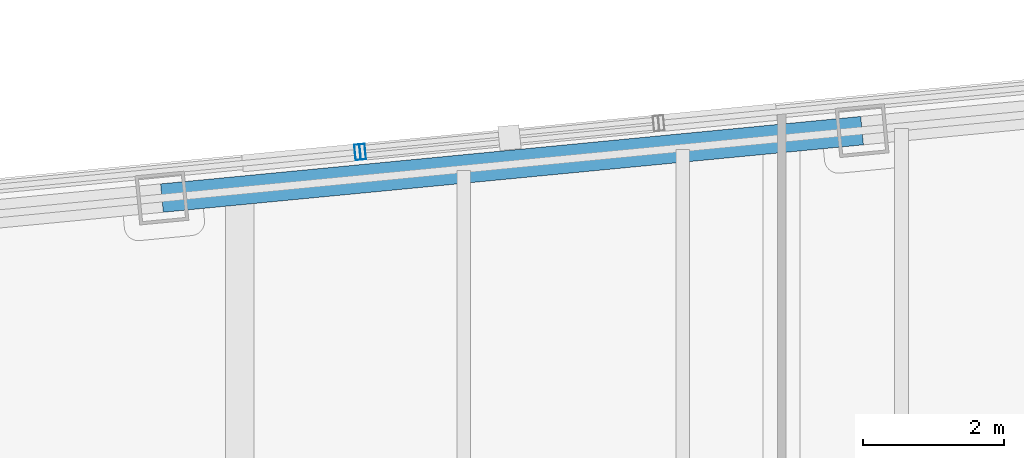
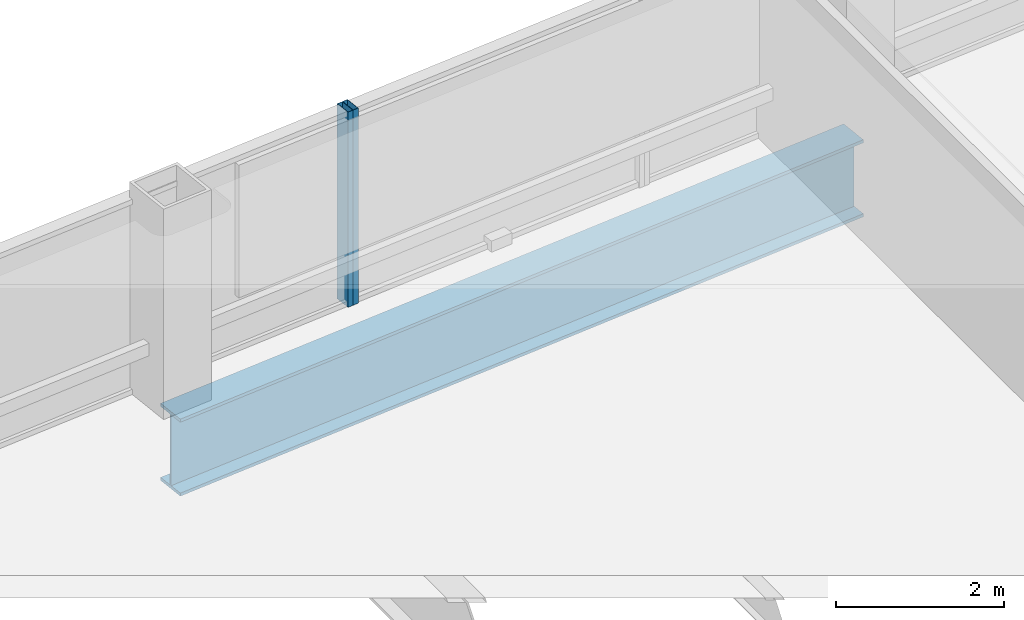
# One storey, part 19 of 28: 2 members, 1 beam, 2 elements without a shape of their own.
"""IFC4 building model written with IfcOpenShell, lengths in metres."""

from ifc_helpers import new_model, si_unit, direction, frame, origin, origin_2d, place, context, subcontext, project, spatial, hollow_rectangle, i_section, extrude, material, layer, layer_set, material_profile, profile_set, type_object, element, aggregate, save


model = new_model("IFC4")

# Units and contexts
model_context = context("Model", 3, precision=1e-05, world=origin(), true_north=direction((0.0, 1.0)))
body_context = subcontext(model_context, "Body", "Model", "MODEL_VIEW")
ifc_project = project(units=[si_unit("LENGTHUNIT", "METRE"), si_unit("AREAUNIT", "SQUARE_METRE"), si_unit("VOLUMEUNIT", "CUBIC_METRE"), si_unit("PLANEANGLEUNIT", "RADIAN"), si_unit("MASSUNIT", "GRAM", prefix="KILO")], contexts=[model_context])

# Site, building, storey
site_placement = place(None, origin())
site = spatial("IfcSite", under=ifc_project, at=site_placement, CompositionType="ELEMENT")
building_placement = place(site_placement, origin())
building = spatial("IfcBuilding", under=site, at=building_placement, Name="Qhalaya Broadcast Tower", CompositionType="ELEMENT")
storey_placement = place(building_placement, frame((0.0, 0.0, 159.199951171875)))
storey = spatial("IfcBuildingStorey", under=building, at=storey_placement, Name="L46", CompositionType="ELEMENT", Elevation=159.199951171875)

# Beam
ifc_material_1 = material(Name="Structural Steel ASTM A992 Grade 50", Category="steel")
ifc_material_profile_1 = material_profile(ifc_material_1, i_section(OverallWidth=0.404052734375, OverallDepth=1.117919921875, WebThickness=0.026123046875, FlangeThickness=0.044921875, at=origin_2d()), Name="W44X335")
ifc_profile_set_1 = profile_set([ifc_material_profile_1], Name="Structural Steel ASTM A992 Grade 50")
beam_type = type_object("IfcBeamType", Name="Podium Long-Span Primary Girder PG1", PredefinedType="USERDEFINED", material=ifc_profile_set_1)
beam_placement = place(storey_placement, frame((-0.558837890625, 24.572509765625, -0.779052734375), z_axis=(-0.995395510024, -0.095852900965, 0.0), x_axis=(0.095852900965, -0.995395510024, 0.0)))
element("IfcBeam", 1, at=beam_placement, inside=storey, type_object=beam_type, Name="L46 PG1 L46-SPR-10", ObjectType="GIRDER", PredefinedType="USERDEFINED", context=body_context, shape_type="SweptSolid", body=[
    extrude(i_section(OverallWidth=0.404052734375, OverallDepth=1.117919921875, WebThickness=0.026123046875, FlangeThickness=0.044921875, at=origin_2d()), origin(), (0.0, 0.0, 1.0), 9.966552734375),
])

# Curtain wall, member
ifc_material_2 = material(Name="Solar-Control Low-E Triple Glazing", Category="glass")
ifc_layer_1 = layer(ifc_material_2, 0.219970703125, Name="Solar-Control Low-E Triple Glazing")
ifc_layer_set_1 = layer_set([ifc_layer_1], Name="Solar-Control Low-E Triple Glazing")
curtain_wall_type_1 = type_object("IfcCurtainWallType", Name="Even-Block 4-Storey Double-Module Curtain Wall CW-03", PredefinedType="NOTDEFINED", material=ifc_layer_set_1)
curtain_wall_1_placement = place(storey_placement, origin())
curtain_wall_1 = element("IfcCurtainWall", 2, at=curtain_wall_1_placement, inside=storey, type_object=curtain_wall_type_1, Name="L46 Unitised Curtain Wall L46-CW-N4", PredefinedType="NOTDEFINED")
ifc_material_3 = material(Name="Anodised Aluminium 6063-T6", Category="aluminium")
ifc_material_profile_2 = material_profile(ifc_material_3, hollow_rectangle(XDim=0.074951171875, YDim=0.219970703125, WallThickness=0.00390625, at=origin_2d()), Name="ALU-MUL 75x220x4")
ifc_profile_set_2 = profile_set([ifc_material_profile_2], Name="Anodised Aluminium 6063-T6")
member_type = type_object("IfcMemberType", Name="Unitised Curtain-Wall Mullion M01", PredefinedType="MULLION", material=ifc_profile_set_2)
member_1_placement = place(storey_placement, frame((-7.633544921875, 24.273193359375, 0.0), z_axis=(0.0, 0.0, 1.0), x_axis=(-0.995395094286, -0.095857218151, 0.0)))
member_1 = element("IfcMember", 3, at=member_1_placement, type_object=member_type, Name="CW-03 mullion 2", PredefinedType="MULLION", context=body_context, shape_type="SweptSolid", body=[
    extrude(hollow_rectangle(XDim=0.074951171875, YDim=0.219970703125, WallThickness=0.00390625, at=origin_2d()), origin(), (0.0, 0.0, 1.0), 2.830078125),
])
aggregate(curtain_wall_1, [member_1])

ifc_material_4 = material(Name="Fired Architectural Terracotta", Category="masonry")
ifc_layer_2 = layer(ifc_material_4, 0.219970703125, Name="Fired Architectural Terracotta")
ifc_layer_set_2 = layer_set([ifc_layer_2], Name="Fired Architectural Terracotta")
curtain_wall_type_2 = type_object("IfcCurtainWallType", Name="Block-Cap Unitised Terracotta Spandrel Wall CW-07", PredefinedType="NOTDEFINED", material=ifc_layer_set_2)
curtain_wall_2_placement = place(storey_placement, origin())
curtain_wall_2 = element("IfcCurtainWall", 4, at=curtain_wall_2_placement, inside=storey, type_object=curtain_wall_type_2, Name="L46 Unitised Curtain Wall L46-CW-N5", PredefinedType="NOTDEFINED")
member_2_placement = place(storey_placement, frame((-7.708251953125, 24.265869140625, 0.0), z_axis=(0.0, 0.0, 1.0), x_axis=(-0.995395960619, -0.095848221597, 0.0)))
member_2 = element("IfcMember", 5, at=member_2_placement, type_object=member_type, Name="CW-07 mullion 1", PredefinedType="MULLION", context=body_context, shape_type="SweptSolid", body=[
    extrude(hollow_rectangle(XDim=0.074951171875, YDim=0.219970703125, WallThickness=0.00390625, at=origin_2d()), origin(), (0.0, 0.0, 1.0), 2.830078125),
])
aggregate(curtain_wall_2, [member_2])

save(model, "model.ifc")
